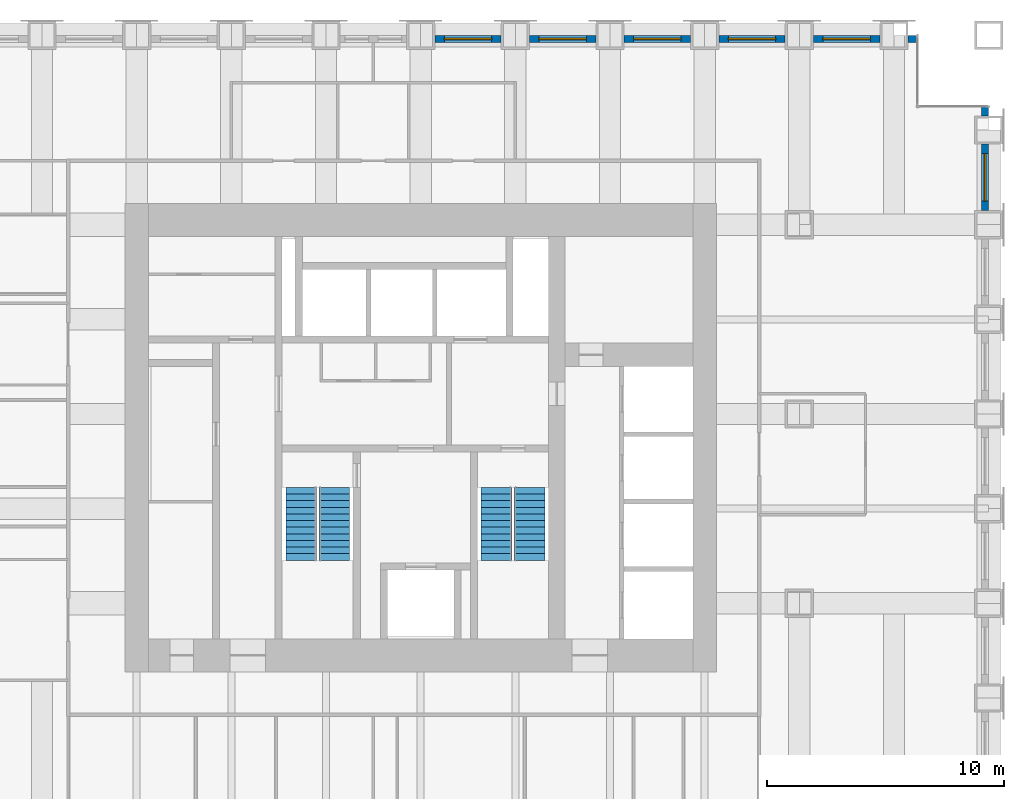
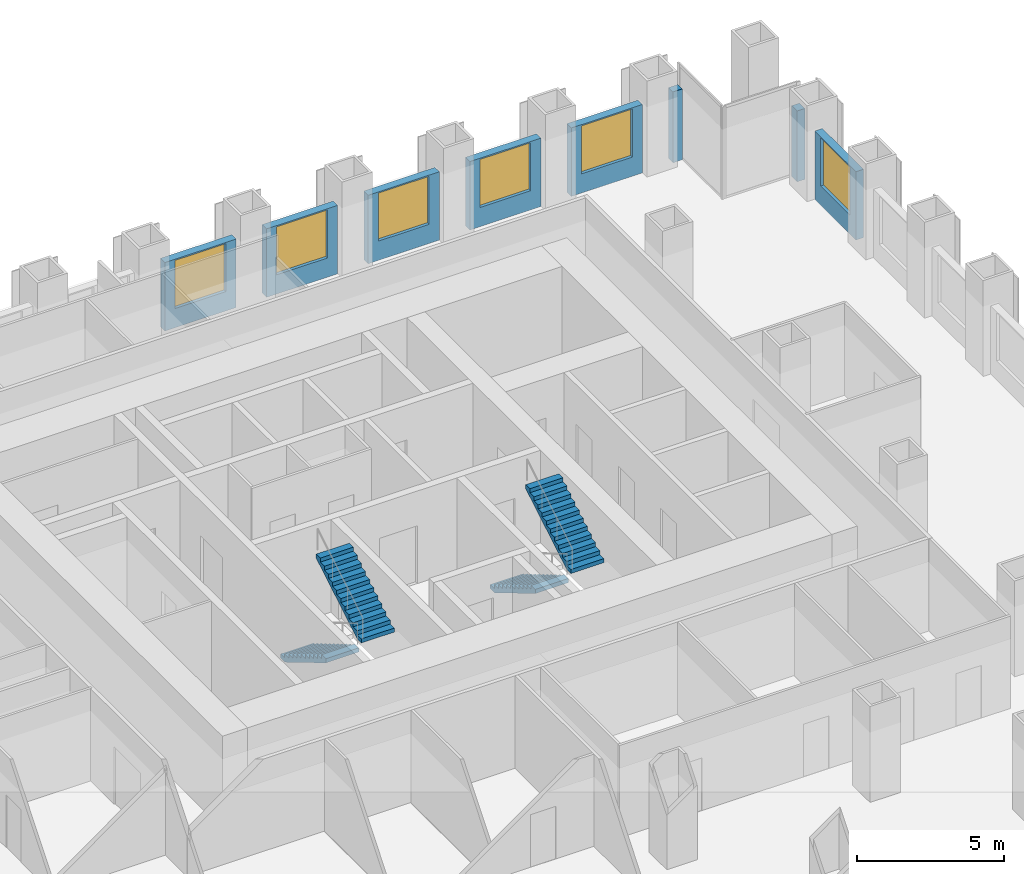
# One storey, part 13 of 15: 8 walls, 6 windows, 4 stair flights, 6 openings, 2 elements without a shape of their own.
"""IFC4 building model written with IfcOpenShell, lengths in metres."""

from ifc_helpers import new_model, si_unit, direction, frame, frame_2d, origin, place, context, subcontext, project, spatial, polyline, rectangle, outline, extrude, material, layer, layer_set, type_object, element, fill, aggregate, save


model = new_model("IFC4")

# Units and contexts
model_context = context("Model", 3, precision=1e-05, world=origin(), true_north=direction((0.0, 1.0)))
body_context = subcontext(model_context, "Body", "Model", "MODEL_VIEW")
ifc_project = project(units=[si_unit("LENGTHUNIT", "METRE"), si_unit("AREAUNIT", "SQUARE_METRE"), si_unit("VOLUMEUNIT", "CUBIC_METRE"), si_unit("PLANEANGLEUNIT", "RADIAN"), si_unit("MASSUNIT", "GRAM", prefix="KILO")], contexts=[model_context])

# Site, building, storey
site_placement = place(None, origin())
site = spatial("IfcSite", under=ifc_project, at=site_placement, CompositionType="ELEMENT")
building_placement = place(site_placement, origin())
building = spatial("IfcBuilding", under=site, at=building_placement, Name="Rimbunsela Tower", CompositionType="ELEMENT")
storey_placement = place(building_placement, frame((0.0, 0.0, 31.0)))
storey = spatial("IfcBuildingStorey", under=building, at=storey_placement, Name="L07", CompositionType="ELEMENT", Elevation=31.0)

# Wall, opening, window
ifc_material_1 = material(Name="Precast concrete fc' 35 MPa", Category="concrete")
ifc_layer = layer(ifc_material_1, 0.300048828125)
ifc_layer_set = layer_set([ifc_layer], Name="Precast concrete fc' 35 MPa")
wall_type = type_object("IfcWallType", Name="Precast facade panel 300", PredefinedType="ELEMENTEDWALL", material=ifc_layer_set)
wall_1_placement = place(storey_placement, frame((53.85009765625, 36.60009765625, 0.0), z_axis=(0.0, 0.0, 1.0), x_axis=(0.0, 1.0, 0.0)))
wall_1 = element("IfcWall", 1, at=wall_1_placement, inside=storey, type_object=wall_type, Name="Facade panel E L07", PredefinedType="ELEMENTEDWALL", context=body_context, shape_type="SweptSolid", body=[
    extrude(rectangle(XDim=2.7998046875, YDim=0.300048828125, at=frame_2d((1.39990234375, 0.0))), origin(), (0.0, 0.0, 1.0), 2.85009765625),
])
opening_1_placement = place(wall_1_placement, frame((0.39990234375, 0.0, 0.800048828125)))
opening_1 = element("IfcOpeningElement", 2, at=opening_1_placement, cuts=wall_1, Name="Opening W1", PredefinedType="OPENING", context=body_context, shape_type="SweptSolid", body=[
    extrude(rectangle(XDim=2.0, YDim=2.0, at=frame_2d((1.0, 1.0))), frame((0.0, 0.159912109375, 0.0), z_axis=(0.0, -1.0, 0.0), x_axis=(1.0, 0.0, 0.0)), (0.0, 0.0, 1.0), 0.320068359375),
])
ifc_material_2 = material(Name="Clear glass in aluminium frame", Category="aluminium")
window_type = type_object("IfcWindowType", Name="Window W1 2000x2000", PartitioningType="DOUBLE_PANEL_VERTICAL", PredefinedType="WINDOW", material=ifc_material_2)
window_1_placement = place(opening_1_placement, origin())
window_1 = element("IfcWindow", 3, at=window_1_placement, inside=storey, type_object=window_type, Name="Window L07", OverallHeight=2.0, OverallWidth=2.0, PartitioningType="SINGLE_PANEL", PredefinedType="WINDOW", context=body_context, shape_type="SweptSolid", body=[
    extrude(rectangle(XDim=2.0, YDim=2.0, at=frame_2d((1.0, 1.0))), frame((0.0, 0.030029296875, 0.0), z_axis=(0.0, -1.0, 0.0), x_axis=(1.0, 0.0, 0.0)), (0.0, 0.0, 1.0), 0.06005859375),
])
fill(opening_1, window_1)

# Wall
wall_2_placement = place(storey_placement, frame((53.85009765625, 40.60009765625, 0.0), z_axis=(0.0, 0.0, 1.0), x_axis=(0.0, 1.0, 0.0)))
element("IfcWall", 4, at=wall_2_placement, inside=storey, type_object=wall_type, Name="Facade panel E L07", PredefinedType="ELEMENTEDWALL", context=body_context, shape_type="SweptSolid", body=[
    extrude(rectangle(XDim=0.369873046875, YDim=0.300048828125, at=frame_2d((0.18505859375, 0.0))), origin(), (0.0, 0.0, 1.0), 2.949951171875),
])

# Wall, opening, window
wall_3_placement = place(storey_placement, frame((33.39990234375, 43.85009765625, 0.0), z_axis=(0.0, 0.0, 1.0), x_axis=(-1.0, 0.0, 0.0)))
wall_3 = element("IfcWall", 5, at=wall_3_placement, inside=storey, type_object=wall_type, Name="Facade panel N L07", PredefinedType="ELEMENTEDWALL", context=body_context, shape_type="SweptSolid", body=[
    extrude(rectangle(XDim=2.7998046875, YDim=0.300048828125, at=frame_2d((1.39990234375, 0.0))), origin(), (0.0, 0.0, 1.0), 2.85009765625),
])
opening_2_placement = place(wall_3_placement, frame((0.39990234375, 0.0, 0.800048828125)))
opening_2 = element("IfcOpeningElement", 6, at=opening_2_placement, cuts=wall_3, Name="Opening W1", PredefinedType="OPENING", context=body_context, shape_type="SweptSolid", body=[
    extrude(rectangle(XDim=2.0, YDim=2.0, at=frame_2d((1.0, 1.0))), frame((0.0, 0.159912109375, 0.0), z_axis=(0.0, -1.0, 0.0), x_axis=(1.0, 0.0, 0.0)), (0.0, 0.0, 1.0), 0.320068359375),
])
window_2_placement = place(opening_2_placement, origin())
window_2 = element("IfcWindow", 7, at=window_2_placement, inside=storey, type_object=window_type, Name="Window L07", OverallHeight=2.0, OverallWidth=2.0, PartitioningType="SINGLE_PANEL", PredefinedType="WINDOW", context=body_context, shape_type="SweptSolid", body=[
    extrude(rectangle(XDim=2.0, YDim=2.0, at=frame_2d((1.0, 1.0))), frame((0.0, 0.030029296875, 0.0), z_axis=(0.0, -1.0, 0.0), x_axis=(1.0, 0.0, 0.0)), (0.0, 0.0, 1.0), 0.06005859375),
])
fill(opening_2, window_2)

wall_4_placement = place(storey_placement, frame((37.39990234375, 43.85009765625, 0.0), z_axis=(0.0, 0.0, 1.0), x_axis=(-1.0, 0.0, 0.0)))
wall_4 = element("IfcWall", 8, at=wall_4_placement, inside=storey, type_object=wall_type, Name="Facade panel N L07", PredefinedType="ELEMENTEDWALL", context=body_context, shape_type="SweptSolid", body=[
    extrude(rectangle(XDim=2.7998046875, YDim=0.300048828125, at=frame_2d((1.39990234375, 0.0))), origin(), (0.0, 0.0, 1.0), 2.85009765625),
])
opening_3_placement = place(wall_4_placement, frame((0.39990234375, 0.0, 0.800048828125)))
opening_3 = element("IfcOpeningElement", 9, at=opening_3_placement, cuts=wall_4, Name="Opening W1", PredefinedType="OPENING", context=body_context, shape_type="SweptSolid", body=[
    extrude(rectangle(XDim=2.0, YDim=2.0, at=frame_2d((1.0, 1.0))), frame((0.0, 0.159912109375, 0.0), z_axis=(0.0, -1.0, 0.0), x_axis=(1.0, 0.0, 0.0)), (0.0, 0.0, 1.0), 0.320068359375),
])
window_3_placement = place(opening_3_placement, origin())
window_3 = element("IfcWindow", 10, at=window_3_placement, inside=storey, type_object=window_type, Name="Window L07", OverallHeight=2.0, OverallWidth=2.0, PartitioningType="SINGLE_PANEL", PredefinedType="WINDOW", context=body_context, shape_type="SweptSolid", body=[
    extrude(rectangle(XDim=2.0, YDim=2.0, at=frame_2d((1.0, 1.0))), frame((0.0, 0.030029296875, 0.0), z_axis=(0.0, -1.0, 0.0), x_axis=(1.0, 0.0, 0.0)), (0.0, 0.0, 1.0), 0.06005859375),
])
fill(opening_3, window_3)

wall_5_placement = place(storey_placement, frame((41.39990234375, 43.85009765625, 0.0), z_axis=(0.0, 0.0, 1.0), x_axis=(-1.0, 0.0, 0.0)))
wall_5 = element("IfcWall", 11, at=wall_5_placement, inside=storey, type_object=wall_type, Name="Facade panel N L07", PredefinedType="ELEMENTEDWALL", context=body_context, shape_type="SweptSolid", body=[
    extrude(rectangle(XDim=2.7998046875, YDim=0.300048828125, at=frame_2d((1.39990234375, 0.0))), origin(), (0.0, 0.0, 1.0), 2.85009765625),
])
opening_4_placement = place(wall_5_placement, frame((0.39990234375, 0.0, 0.800048828125)))
opening_4 = element("IfcOpeningElement", 12, at=opening_4_placement, cuts=wall_5, Name="Opening W1", PredefinedType="OPENING", context=body_context, shape_type="SweptSolid", body=[
    extrude(rectangle(XDim=2.0, YDim=2.0, at=frame_2d((1.0, 1.0))), frame((0.0, 0.159912109375, 0.0), z_axis=(0.0, -1.0, 0.0), x_axis=(1.0, 0.0, 0.0)), (0.0, 0.0, 1.0), 0.320068359375),
])
window_4_placement = place(opening_4_placement, origin())
window_4 = element("IfcWindow", 13, at=window_4_placement, inside=storey, type_object=window_type, Name="Window L07", OverallHeight=2.0, OverallWidth=2.0, PartitioningType="SINGLE_PANEL", PredefinedType="WINDOW", context=body_context, shape_type="SweptSolid", body=[
    extrude(rectangle(XDim=2.0, YDim=2.0, at=frame_2d((1.0, 1.0))), frame((0.0, 0.030029296875, 0.0), z_axis=(0.0, -1.0, 0.0), x_axis=(1.0, 0.0, 0.0)), (0.0, 0.0, 1.0), 0.06005859375),
])
fill(opening_4, window_4)

wall_6_placement = place(storey_placement, frame((45.39990234375, 43.85009765625, 0.0), z_axis=(0.0, 0.0, 1.0), x_axis=(-1.0, 0.0, 0.0)))
wall_6 = element("IfcWall", 14, at=wall_6_placement, inside=storey, type_object=wall_type, Name="Facade panel N L07", PredefinedType="ELEMENTEDWALL", context=body_context, shape_type="SweptSolid", body=[
    extrude(rectangle(XDim=2.7998046875, YDim=0.300048828125, at=frame_2d((1.39990234375, 0.0))), origin(), (0.0, 0.0, 1.0), 2.85009765625),
])
opening_5_placement = place(wall_6_placement, frame((0.39990234375, 0.0, 0.800048828125)))
opening_5 = element("IfcOpeningElement", 15, at=opening_5_placement, cuts=wall_6, Name="Opening W1", PredefinedType="OPENING", context=body_context, shape_type="SweptSolid", body=[
    extrude(rectangle(XDim=2.0, YDim=2.0, at=frame_2d((1.0, 1.0))), frame((0.0, 0.159912109375, 0.0), z_axis=(0.0, -1.0, 0.0), x_axis=(1.0, 0.0, 0.0)), (0.0, 0.0, 1.0), 0.320068359375),
])
window_5_placement = place(opening_5_placement, origin())
window_5 = element("IfcWindow", 16, at=window_5_placement, inside=storey, type_object=window_type, Name="Window L07", OverallHeight=2.0, OverallWidth=2.0, PartitioningType="SINGLE_PANEL", PredefinedType="WINDOW", context=body_context, shape_type="SweptSolid", body=[
    extrude(rectangle(XDim=2.0, YDim=2.0, at=frame_2d((1.0, 1.0))), frame((0.0, 0.030029296875, 0.0), z_axis=(0.0, -1.0, 0.0), x_axis=(1.0, 0.0, 0.0)), (0.0, 0.0, 1.0), 0.06005859375),
])
fill(opening_5, window_5)

wall_7_placement = place(storey_placement, frame((49.39990234375, 43.85009765625, 0.0), z_axis=(0.0, 0.0, 1.0), x_axis=(-1.0, 0.0, 0.0)))
wall_7 = element("IfcWall", 17, at=wall_7_placement, inside=storey, type_object=wall_type, Name="Facade panel N L07", PredefinedType="ELEMENTEDWALL", context=body_context, shape_type="SweptSolid", body=[
    extrude(rectangle(XDim=2.7998046875, YDim=0.300048828125, at=frame_2d((1.39990234375, 0.0))), origin(), (0.0, 0.0, 1.0), 2.85009765625),
])
opening_6_placement = place(wall_7_placement, frame((0.39990234375, 0.0, 0.800048828125)))
opening_6 = element("IfcOpeningElement", 18, at=opening_6_placement, cuts=wall_7, Name="Opening W1", PredefinedType="OPENING", context=body_context, shape_type="SweptSolid", body=[
    extrude(rectangle(XDim=2.0, YDim=2.0, at=frame_2d((1.0, 1.0))), frame((0.0, 0.159912109375, 0.0), z_axis=(0.0, -1.0, 0.0), x_axis=(1.0, 0.0, 0.0)), (0.0, 0.0, 1.0), 0.320068359375),
])
window_6_placement = place(opening_6_placement, origin())
window_6 = element("IfcWindow", 19, at=window_6_placement, inside=storey, type_object=window_type, Name="Window L07", OverallHeight=2.0, OverallWidth=2.0, PartitioningType="SINGLE_PANEL", PredefinedType="WINDOW", context=body_context, shape_type="SweptSolid", body=[
    extrude(rectangle(XDim=2.0, YDim=2.0, at=frame_2d((1.0, 1.0))), frame((0.0, 0.030029296875, 0.0), z_axis=(0.0, -1.0, 0.0), x_axis=(1.0, 0.0, 0.0)), (0.0, 0.0, 1.0), 0.06005859375),
])
fill(opening_6, window_6)

# Wall
wall_8_placement = place(storey_placement, frame((50.969970703125, 43.85009765625, 0.0), z_axis=(0.0, 0.0, 1.0), x_axis=(-1.0, 0.0, 0.0)))
element("IfcWall", 20, at=wall_8_placement, inside=storey, type_object=wall_type, Name="Facade panel N L07", PredefinedType="ELEMENTEDWALL", context=body_context, shape_type="SweptSolid", body=[
    extrude(rectangle(XDim=0.369873046875, YDim=0.300048828125, at=frame_2d((0.18505859375, 0.0))), origin(), (0.0, 0.0, 1.0), 2.949951171875),
])

# Stair, stair flights
ifc_material_3 = material(Name="Concrete fc' 35 MPa", Category="concrete")
stair_type = type_object("IfcStairType", Name="Exit stair 24 risers", PredefinedType="HALF_TURN_STAIR", material=ifc_material_3)
stair_1_placement = place(storey_placement, origin())
stair_1 = element("IfcStair", 21, at=stair_1_placement, inside=storey, type_object=stair_type, Name="Exit stair A L07", PredefinedType="HALF_TURN_STAIR")
ifc_material_4 = material(Name="Concrete fc' 35 MPa", Category="concrete")
stair_flight_type = type_object("IfcStairFlightType", Name="Stair flight 12 risers 167", PredefinedType="STRAIGHT", material=ifc_material_4)
stair_flight_1_placement = place(storey_placement, frame((24.949951171875, 24.89990234375, 0.0), z_axis=(0.0, 0.0, 1.0), x_axis=(0.0, -1.0, 0.0)))
stair_flight_1 = element("IfcStairFlight", 22, at=stair_flight_1_placement, type_object=stair_flight_type, Name="ST-A flight 1", NumberOfRisers=12, NumberOfTreads=11, PredefinedType="STRAIGHT", RiserHeight=0.166666667, TreadLength=0.28, context=body_context, shape_type="SweptSolid", body=[
    extrude(outline(polyline([(0.0, 0.0), (0.0, 0.166748046875), (0.280029296875, 0.166748046875), (0.280029296875, 0.333251953125), (0.56005859375, 0.333251953125), (0.56005859375, 0.5), (0.840087890625, 0.5), (0.840087890625, 0.666748046875), (1.1201171875, 0.666748046875), (1.1201171875, 0.833251953125), (1.39990234375, 0.833251953125), (1.39990234375, 1.0), (1.679931640625, 1.0), (1.679931640625, 1.166748046875), (1.9599609375, 1.166748046875), (1.9599609375, 1.333251953125), (2.239990234375, 1.333251953125), (2.239990234375, 1.5), (2.52001953125, 1.5), (2.52001953125, 1.666748046875), (2.800048828125, 1.666748046875), (2.800048828125, 1.833251953125), (3.080078125, 1.833251953125), (3.080078125, 2.0), (3.080078125, 1.658935546875), (0.29296875, 0.0), (0.0, 0.0)])), frame((0.0, 0.64990234375, 0.0), z_axis=(0.0, -1.0, 0.0), x_axis=(1.0, 0.0, 0.0)), (0.0, 0.0, 1.0), 1.300048828125),
])
stair_flight_2_placement = place(storey_placement, frame((26.35009765625, 21.820068359375, 2.0), z_axis=(0.0, 0.0, 1.0), x_axis=(0.0, 1.0, 0.0)))
stair_flight_2 = element("IfcStairFlight", 23, at=stair_flight_2_placement, type_object=stair_flight_type, Name="ST-A flight 2", NumberOfRisers=12, NumberOfTreads=11, PredefinedType="STRAIGHT", RiserHeight=0.166666667, TreadLength=0.28, context=body_context, shape_type="SweptSolid", body=[
    extrude(outline(polyline([(0.0, 0.0), (0.0, 0.166748046875), (0.280029296875, 0.166748046875), (0.280029296875, 0.333251953125), (0.56005859375, 0.333251953125), (0.56005859375, 0.5), (0.840087890625, 0.5), (0.840087890625, 0.666748046875), (1.1201171875, 0.666748046875), (1.1201171875, 0.833251953125), (1.39990234375, 0.833251953125), (1.39990234375, 1.0), (1.679931640625, 1.0), (1.679931640625, 1.166748046875), (1.9599609375, 1.166748046875), (1.9599609375, 1.333251953125), (2.239990234375, 1.333251953125), (2.239990234375, 1.5), (2.52001953125, 1.5), (2.52001953125, 1.666748046875), (2.800048828125, 1.666748046875), (2.800048828125, 1.833251953125), (3.080078125, 1.833251953125), (3.080078125, 2.0), (3.080078125, 1.658935546875), (0.29296875, 0.0), (0.0, 0.0)])), frame((0.0, 0.64990234375, 0.0), z_axis=(0.0, -1.0, 0.0), x_axis=(1.0, 0.0, 0.0)), (0.0, 0.0, 1.0), 1.300048828125),
])
aggregate(stair_1, [stair_flight_1, stair_flight_2])

stair_2_placement = place(storey_placement, origin())
stair_2 = element("IfcStair", 24, at=stair_2_placement, inside=storey, type_object=stair_type, Name="Exit stair B L07", PredefinedType="HALF_TURN_STAIR")
stair_flight_3_placement = place(storey_placement, frame((33.199951171875, 24.89990234375, 0.0), z_axis=(0.0, 0.0, 1.0), x_axis=(0.0, -1.0, 0.0)))
stair_flight_3 = element("IfcStairFlight", 25, at=stair_flight_3_placement, type_object=stair_flight_type, Name="ST-B flight 1", NumberOfRisers=12, NumberOfTreads=11, PredefinedType="STRAIGHT", RiserHeight=0.166666667, TreadLength=0.28, context=body_context, shape_type="SweptSolid", body=[
    extrude(outline(polyline([(0.0, 0.0), (0.0, 0.166748046875), (0.280029296875, 0.166748046875), (0.280029296875, 0.333251953125), (0.56005859375, 0.333251953125), (0.56005859375, 0.5), (0.840087890625, 0.5), (0.840087890625, 0.666748046875), (1.1201171875, 0.666748046875), (1.1201171875, 0.833251953125), (1.39990234375, 0.833251953125), (1.39990234375, 1.0), (1.679931640625, 1.0), (1.679931640625, 1.166748046875), (1.9599609375, 1.166748046875), (1.9599609375, 1.333251953125), (2.239990234375, 1.333251953125), (2.239990234375, 1.5), (2.52001953125, 1.5), (2.52001953125, 1.666748046875), (2.800048828125, 1.666748046875), (2.800048828125, 1.833251953125), (3.080078125, 1.833251953125), (3.080078125, 2.0), (3.080078125, 1.658935546875), (0.29296875, 0.0), (0.0, 0.0)])), frame((0.0, 0.64990234375, 0.0), z_axis=(0.0, -1.0, 0.0), x_axis=(1.0, 0.0, 0.0)), (0.0, 0.0, 1.0), 1.300048828125),
])
stair_flight_4_placement = place(storey_placement, frame((34.60009765625, 21.820068359375, 2.0), z_axis=(0.0, 0.0, 1.0), x_axis=(0.0, 1.0, 0.0)))
stair_flight_4 = element("IfcStairFlight", 26, at=stair_flight_4_placement, type_object=stair_flight_type, Name="ST-B flight 2", NumberOfRisers=12, NumberOfTreads=11, PredefinedType="STRAIGHT", RiserHeight=0.166666667, TreadLength=0.28, context=body_context, shape_type="SweptSolid", body=[
    extrude(outline(polyline([(0.0, 0.0), (0.0, 0.166748046875), (0.280029296875, 0.166748046875), (0.280029296875, 0.333251953125), (0.56005859375, 0.333251953125), (0.56005859375, 0.5), (0.840087890625, 0.5), (0.840087890625, 0.666748046875), (1.1201171875, 0.666748046875), (1.1201171875, 0.833251953125), (1.39990234375, 0.833251953125), (1.39990234375, 1.0), (1.679931640625, 1.0), (1.679931640625, 1.166748046875), (1.9599609375, 1.166748046875), (1.9599609375, 1.333251953125), (2.239990234375, 1.333251953125), (2.239990234375, 1.5), (2.52001953125, 1.5), (2.52001953125, 1.666748046875), (2.800048828125, 1.666748046875), (2.800048828125, 1.833251953125), (3.080078125, 1.833251953125), (3.080078125, 2.0), (3.080078125, 1.658935546875), (0.29296875, 0.0), (0.0, 0.0)])), frame((0.0, 0.64990234375, 0.0), z_axis=(0.0, -1.0, 0.0), x_axis=(1.0, 0.0, 0.0)), (0.0, 0.0, 1.0), 1.300048828125),
])
aggregate(stair_2, [stair_flight_3, stair_flight_4])

save(model, "model.ifc")
